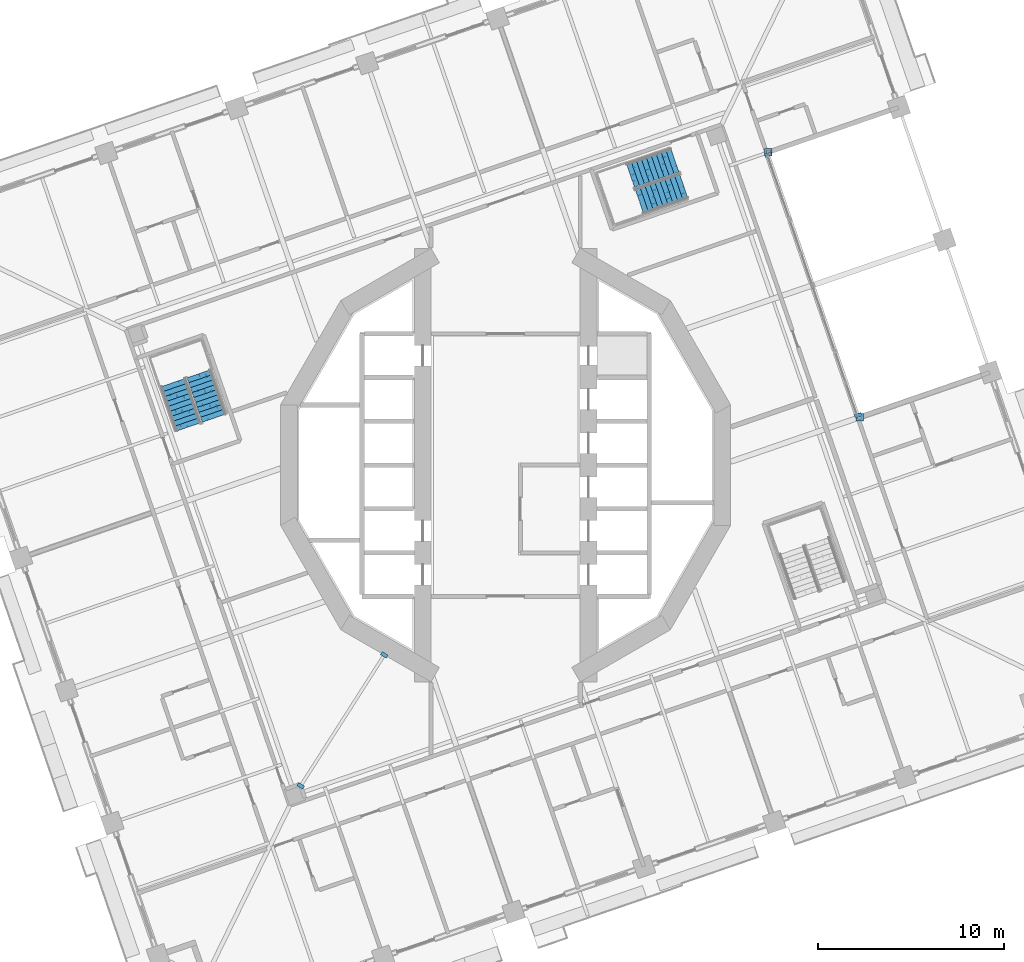
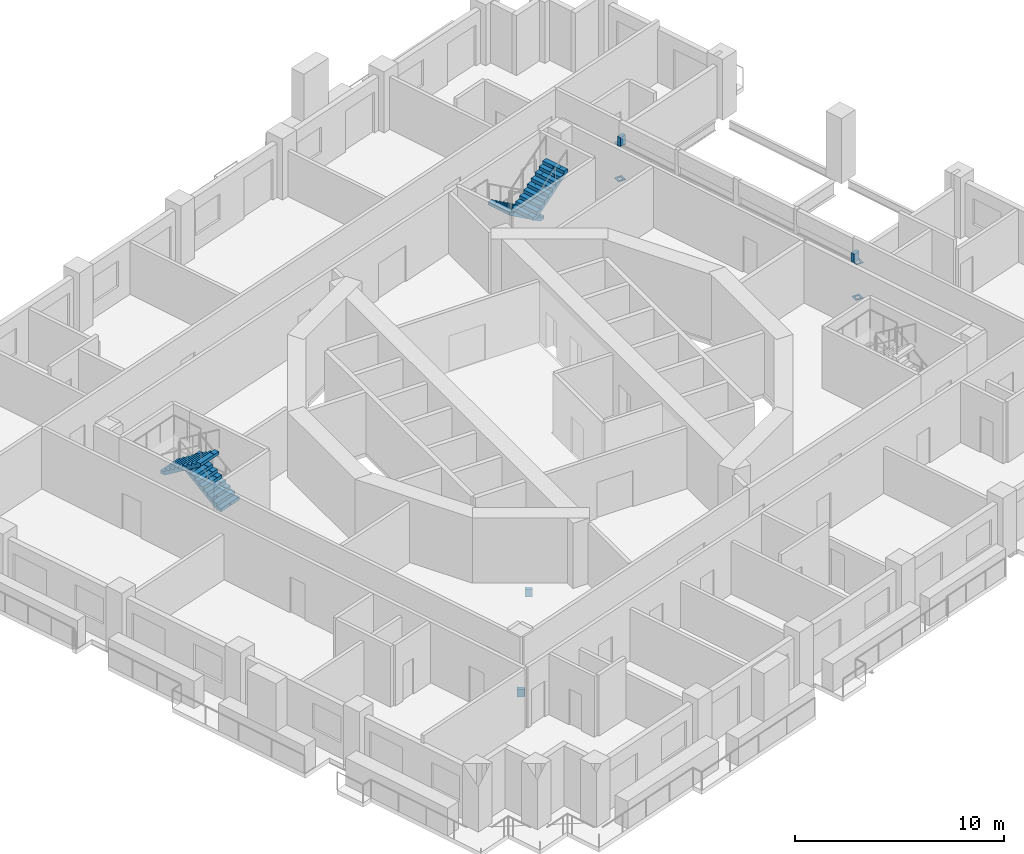
# One storey, part 13 of 19: 8 discrete accessories, 4 stair flights, 2 elements without a shape of their own.
"""IFC4 building model written with IfcOpenShell, lengths in metres."""

from ifc_helpers import new_model, si_unit, direction, frame, origin, place, context, subcontext, project, spatial, polyline, outline, extrude, material, layer, layer_set, type_object, element, aggregate, save


model = new_model("IFC4")

# Units and contexts
model_context = context("Model", 3, precision=1e-05, world=origin(), true_north=direction((0.0, 1.0)))
body_context = subcontext(model_context, "Body", "Model", "MODEL_VIEW")
ifc_project = project(units=[si_unit("LENGTHUNIT", "METRE"), si_unit("AREAUNIT", "SQUARE_METRE"), si_unit("VOLUMEUNIT", "CUBIC_METRE"), si_unit("PLANEANGLEUNIT", "RADIAN"), si_unit("MASSUNIT", "GRAM", prefix="KILO")], contexts=[model_context])

# Site, building, storey
site_placement = place(None, origin())
site = spatial("IfcSite", under=ifc_project, at=site_placement, CompositionType="ELEMENT")
building_placement = place(site_placement, origin())
building = spatial("IfcBuilding", under=site, at=building_placement, Name="Cantera Rosa Tower", CompositionType="ELEMENT")
storey_placement = place(building_placement, frame((0.0, 0.0, 130.699951171875)))
storey = spatial("IfcBuildingStorey", under=building, at=storey_placement, Name="L27", CompositionType="ELEMENT", Elevation=130.699951171875)

# Stair, stair flights
ifc_material_1 = material(Name="Concrete C35/45", Category="concrete")
stair_type = type_object("IfcStairType", Name="EXIT STAIR 1350 DOGLEG", PredefinedType="HALF_TURN_STAIR", material=ifc_material_1)
stair_1_placement = place(storey_placement, origin())
stair_1 = element("IfcStair", 1, at=stair_1_placement, inside=storey, type_object=stair_type, Name="L27 ST-21", PredefinedType="HALF_TURN_STAIR")
ifc_material_2 = material(Name="Concrete C35/45", Category="concrete")
stair_flight_type = type_object("IfcStairFlightType", Name="STAIR FLIGHT 1350 R20x190", PredefinedType="STRAIGHT", material=ifc_material_2)
stair_flight_1_placement = place(storey_placement, frame((9.07958984375, 16.364990234375, 0.0), z_axis=(0.0, 0.0, 1.0), x_axis=(-0.945518575599, -0.325568154457, 0.0)))
stair_flight_1 = element("IfcStairFlight", 2, at=stair_flight_1_placement, type_object=stair_flight_type, Name="ST-21 flight 1", NumberOfRisers=10, NumberOfTreads=9, PredefinedType="STRAIGHT", RiserHeight=0.19, TreadLength=0.28, context=body_context, shape_type="SweptSolid", body=[
    extrude(outline(polyline([(0.0, 0.0), (0.0, 0.18994140625), (0.280029296875, 0.18994140625), (0.280029296875, 0.3798828125), (0.56005859375, 0.3798828125), (0.56005859375, 0.570068359375), (0.840087890625, 0.570068359375), (0.840087890625, 0.760009765625), (1.1201171875, 0.760009765625), (1.1201171875, 0.949951171875), (1.39990234375, 0.949951171875), (1.39990234375, 1.139892578125), (1.679931640625, 1.139892578125), (1.679931640625, 1.330078125), (1.9599609375, 1.330078125), (1.9599609375, 1.52001953125), (2.239990234375, 1.52001953125), (2.239990234375, 1.7099609375), (2.52001953125, 1.7099609375), (2.52001953125, 1.89990234375), (2.52001953125, 1.52880859375), (0.266845703125, 0.0), (0.0, 0.0)])), frame((0.0, 0.675048828125, 0.0), z_axis=(0.0, -1.0, 0.0), x_axis=(1.0, 0.0, 0.0)), (0.0, 0.0, 1.0), 0.3359375),
    extrude(outline(polyline([(0.0, 0.0), (0.0, 0.18994140625), (0.280029296875, 0.18994140625), (0.280029296875, 0.3798828125), (0.56005859375, 0.3798828125), (0.56005859375, 0.570068359375), (0.840087890625, 0.570068359375), (0.840087890625, 0.760009765625), (1.1201171875, 0.760009765625), (1.1201171875, 0.949951171875), (1.39990234375, 0.949951171875), (1.39990234375, 1.139892578125), (1.679931640625, 1.139892578125), (1.679931640625, 1.330078125), (1.9599609375, 1.330078125), (1.9599609375, 1.52001953125), (2.239990234375, 1.52001953125), (2.239990234375, 1.7099609375), (2.52001953125, 1.7099609375), (2.52001953125, 1.89990234375), (2.52001953125, 1.52880859375), (0.266845703125, 0.0), (0.0, 0.0)])), frame((0.0, 0.337158203125, 0.0), z_axis=(0.0, -1.0, 0.0), x_axis=(1.0, 0.0, 0.0)), (0.0, 0.0, 1.0), 0.3359375),
    extrude(outline(polyline([(0.0, 0.0), (0.0, 0.18994140625), (0.280029296875, 0.18994140625), (0.280029296875, 0.3798828125), (0.56005859375, 0.3798828125), (0.56005859375, 0.570068359375), (0.840087890625, 0.570068359375), (0.840087890625, 0.760009765625), (1.1201171875, 0.760009765625), (1.1201171875, 0.949951171875), (1.39990234375, 0.949951171875), (1.39990234375, 1.139892578125), (1.679931640625, 1.139892578125), (1.679931640625, 1.330078125), (1.9599609375, 1.330078125), (1.9599609375, 1.52001953125), (2.239990234375, 1.52001953125), (2.239990234375, 1.7099609375), (2.52001953125, 1.7099609375), (2.52001953125, 1.89990234375), (2.52001953125, 1.52880859375), (0.266845703125, 0.0), (0.0, 0.0)])), frame((0.0, -0.000732421875, 0.0), z_axis=(0.0, -1.0, 0.0), x_axis=(1.0, 0.0, 0.0)), (0.0, 0.0, 1.0), 0.3359375),
    extrude(outline(polyline([(0.0, 0.0), (0.0, 0.18994140625), (0.280029296875, 0.18994140625), (0.280029296875, 0.3798828125), (0.56005859375, 0.3798828125), (0.56005859375, 0.570068359375), (0.840087890625, 0.570068359375), (0.840087890625, 0.760009765625), (1.1201171875, 0.760009765625), (1.1201171875, 0.949951171875), (1.39990234375, 0.949951171875), (1.39990234375, 1.139892578125), (1.679931640625, 1.139892578125), (1.679931640625, 1.330078125), (1.9599609375, 1.330078125), (1.9599609375, 1.52001953125), (2.239990234375, 1.52001953125), (2.239990234375, 1.7099609375), (2.52001953125, 1.7099609375), (2.52001953125, 1.89990234375), (2.52001953125, 1.52880859375), (0.266845703125, 0.0), (0.0, 0.0)])), frame((0.0, -0.338623046875, 0.0), z_axis=(0.0, -1.0, 0.0), x_axis=(1.0, 0.0, 0.0)), (0.0, 0.0, 1.0), 0.3359375),
])
stair_flight_2_placement = place(storey_placement, frame((7.185302734375, 14.126220703125, 1.900146484375), z_axis=(0.0, 0.0, 1.0), x_axis=(0.945518575599, 0.325568154457, 0.0)))
stair_flight_2 = element("IfcStairFlight", 3, at=stair_flight_2_placement, type_object=stair_flight_type, Name="ST-21 flight 2", NumberOfRisers=10, NumberOfTreads=9, PredefinedType="STRAIGHT", RiserHeight=0.19, TreadLength=0.28, context=body_context, shape_type="SweptSolid", body=[
    extrude(outline(polyline([(0.0, 0.0), (0.0, 0.18994140625), (0.280029296875, 0.18994140625), (0.280029296875, 0.3798828125), (0.56005859375, 0.3798828125), (0.56005859375, 0.570068359375), (0.840087890625, 0.570068359375), (0.840087890625, 0.760009765625), (1.1201171875, 0.760009765625), (1.1201171875, 0.949951171875), (1.39990234375, 0.949951171875), (1.39990234375, 1.139892578125), (1.679931640625, 1.139892578125), (1.679931640625, 1.330078125), (1.9599609375, 1.330078125), (1.9599609375, 1.52001953125), (2.239990234375, 1.52001953125), (2.239990234375, 1.7099609375), (2.52001953125, 1.7099609375), (2.52001953125, 1.89990234375), (2.52001953125, 1.52880859375), (0.266845703125, 0.0), (0.0, 0.0)])), frame((0.0, 0.675048828125, 0.0), z_axis=(0.0, -1.0, 0.0), x_axis=(1.0, 0.0, 0.0)), (0.0, 0.0, 1.0), 0.3359375),
    extrude(outline(polyline([(0.0, 0.0), (0.0, 0.18994140625), (0.280029296875, 0.18994140625), (0.280029296875, 0.3798828125), (0.56005859375, 0.3798828125), (0.56005859375, 0.570068359375), (0.840087890625, 0.570068359375), (0.840087890625, 0.760009765625), (1.1201171875, 0.760009765625), (1.1201171875, 0.949951171875), (1.39990234375, 0.949951171875), (1.39990234375, 1.139892578125), (1.679931640625, 1.139892578125), (1.679931640625, 1.330078125), (1.9599609375, 1.330078125), (1.9599609375, 1.52001953125), (2.239990234375, 1.52001953125), (2.239990234375, 1.7099609375), (2.52001953125, 1.7099609375), (2.52001953125, 1.89990234375), (2.52001953125, 1.52880859375), (0.266845703125, 0.0), (0.0, 0.0)])), frame((0.0, 0.337158203125, 0.0), z_axis=(0.0, -1.0, 0.0), x_axis=(1.0, 0.0, 0.0)), (0.0, 0.0, 1.0), 0.3359375),
    extrude(outline(polyline([(0.0, 0.0), (0.0, 0.18994140625), (0.280029296875, 0.18994140625), (0.280029296875, 0.3798828125), (0.56005859375, 0.3798828125), (0.56005859375, 0.570068359375), (0.840087890625, 0.570068359375), (0.840087890625, 0.760009765625), (1.1201171875, 0.760009765625), (1.1201171875, 0.949951171875), (1.39990234375, 0.949951171875), (1.39990234375, 1.139892578125), (1.679931640625, 1.139892578125), (1.679931640625, 1.330078125), (1.9599609375, 1.330078125), (1.9599609375, 1.52001953125), (2.239990234375, 1.52001953125), (2.239990234375, 1.7099609375), (2.52001953125, 1.7099609375), (2.52001953125, 1.89990234375), (2.52001953125, 1.52880859375), (0.266845703125, 0.0), (0.0, 0.0)])), frame((0.0, -0.000732421875, 0.0), z_axis=(0.0, -1.0, 0.0), x_axis=(1.0, 0.0, 0.0)), (0.0, 0.0, 1.0), 0.3359375),
    extrude(outline(polyline([(0.0, 0.0), (0.0, 0.18994140625), (0.280029296875, 0.18994140625), (0.280029296875, 0.3798828125), (0.56005859375, 0.3798828125), (0.56005859375, 0.570068359375), (0.840087890625, 0.570068359375), (0.840087890625, 0.760009765625), (1.1201171875, 0.760009765625), (1.1201171875, 0.949951171875), (1.39990234375, 0.949951171875), (1.39990234375, 1.139892578125), (1.679931640625, 1.139892578125), (1.679931640625, 1.330078125), (1.9599609375, 1.330078125), (1.9599609375, 1.52001953125), (2.239990234375, 1.52001953125), (2.239990234375, 1.7099609375), (2.52001953125, 1.7099609375), (2.52001953125, 1.89990234375), (2.52001953125, 1.52880859375), (0.266845703125, 0.0), (0.0, 0.0)])), frame((0.0, -0.338623046875, 0.0), z_axis=(0.0, -1.0, 0.0), x_axis=(1.0, 0.0, 0.0)), (0.0, 0.0, 1.0), 0.3359375),
])
aggregate(stair_1, [stair_flight_1, stair_flight_2])

stair_2_placement = place(storey_placement, origin())
stair_2 = element("IfcStair", 4, at=stair_2_placement, inside=storey, type_object=stair_type, Name="L27 ST-22", PredefinedType="HALF_TURN_STAIR")
stair_flight_3_placement = place(storey_placement, frame((-15.635009765625, 2.5205078125, 0.0), z_axis=(0.0, 0.0, 1.0), x_axis=(-0.325568154457, 0.945518575599, 0.0)))
stair_flight_3 = element("IfcStairFlight", 5, at=stair_flight_3_placement, type_object=stair_flight_type, Name="ST-22 flight 1", NumberOfRisers=10, NumberOfTreads=9, PredefinedType="STRAIGHT", RiserHeight=0.19, TreadLength=0.28, context=body_context, shape_type="SweptSolid", body=[
    extrude(outline(polyline([(0.0, 0.0), (0.0, 0.18994140625), (0.280029296875, 0.18994140625), (0.280029296875, 0.3798828125), (0.56005859375, 0.3798828125), (0.56005859375, 0.570068359375), (0.840087890625, 0.570068359375), (0.840087890625, 0.760009765625), (1.1201171875, 0.760009765625), (1.1201171875, 0.949951171875), (1.39990234375, 0.949951171875), (1.39990234375, 1.139892578125), (1.679931640625, 1.139892578125), (1.679931640625, 1.330078125), (1.9599609375, 1.330078125), (1.9599609375, 1.52001953125), (2.239990234375, 1.52001953125), (2.239990234375, 1.7099609375), (2.52001953125, 1.7099609375), (2.52001953125, 1.89990234375), (2.52001953125, 1.52880859375), (0.266845703125, 0.0), (0.0, 0.0)])), frame((0.0, 0.675048828125, 0.0), z_axis=(0.0, -1.0, 0.0), x_axis=(1.0, 0.0, 0.0)), (0.0, 0.0, 1.0), 0.3359375),
    extrude(outline(polyline([(0.0, 0.0), (0.0, 0.18994140625), (0.280029296875, 0.18994140625), (0.280029296875, 0.3798828125), (0.56005859375, 0.3798828125), (0.56005859375, 0.570068359375), (0.840087890625, 0.570068359375), (0.840087890625, 0.760009765625), (1.1201171875, 0.760009765625), (1.1201171875, 0.949951171875), (1.39990234375, 0.949951171875), (1.39990234375, 1.139892578125), (1.679931640625, 1.139892578125), (1.679931640625, 1.330078125), (1.9599609375, 1.330078125), (1.9599609375, 1.52001953125), (2.239990234375, 1.52001953125), (2.239990234375, 1.7099609375), (2.52001953125, 1.7099609375), (2.52001953125, 1.89990234375), (2.52001953125, 1.52880859375), (0.266845703125, 0.0), (0.0, 0.0)])), frame((0.0, 0.337158203125, 0.0), z_axis=(0.0, -1.0, 0.0), x_axis=(1.0, 0.0, 0.0)), (0.0, 0.0, 1.0), 0.3359375),
    extrude(outline(polyline([(0.0, 0.0), (0.0, 0.18994140625), (0.280029296875, 0.18994140625), (0.280029296875, 0.3798828125), (0.56005859375, 0.3798828125), (0.56005859375, 0.570068359375), (0.840087890625, 0.570068359375), (0.840087890625, 0.760009765625), (1.1201171875, 0.760009765625), (1.1201171875, 0.949951171875), (1.39990234375, 0.949951171875), (1.39990234375, 1.139892578125), (1.679931640625, 1.139892578125), (1.679931640625, 1.330078125), (1.9599609375, 1.330078125), (1.9599609375, 1.52001953125), (2.239990234375, 1.52001953125), (2.239990234375, 1.7099609375), (2.52001953125, 1.7099609375), (2.52001953125, 1.89990234375), (2.52001953125, 1.52880859375), (0.266845703125, 0.0), (0.0, 0.0)])), frame((0.0, -0.000732421875, 0.0), z_axis=(0.0, -1.0, 0.0), x_axis=(1.0, 0.0, 0.0)), (0.0, 0.0, 1.0), 0.3359375),
    extrude(outline(polyline([(0.0, 0.0), (0.0, 0.18994140625), (0.280029296875, 0.18994140625), (0.280029296875, 0.3798828125), (0.56005859375, 0.3798828125), (0.56005859375, 0.570068359375), (0.840087890625, 0.570068359375), (0.840087890625, 0.760009765625), (1.1201171875, 0.760009765625), (1.1201171875, 0.949951171875), (1.39990234375, 0.949951171875), (1.39990234375, 1.139892578125), (1.679931640625, 1.139892578125), (1.679931640625, 1.330078125), (1.9599609375, 1.330078125), (1.9599609375, 1.52001953125), (2.239990234375, 1.52001953125), (2.239990234375, 1.7099609375), (2.52001953125, 1.7099609375), (2.52001953125, 1.89990234375), (2.52001953125, 1.52880859375), (0.266845703125, 0.0), (0.0, 0.0)])), frame((0.0, -0.338623046875, 0.0), z_axis=(0.0, -1.0, 0.0), x_axis=(1.0, 0.0, 0.0)), (0.0, 0.0, 1.0), 0.3359375),
])
stair_flight_4_placement = place(storey_placement, frame((-17.873779296875, 4.414794921875, 1.900146484375), z_axis=(0.0, 0.0, 1.0), x_axis=(0.325568154457, -0.945518575599, 0.0)))
stair_flight_4 = element("IfcStairFlight", 6, at=stair_flight_4_placement, type_object=stair_flight_type, Name="ST-22 flight 2", NumberOfRisers=10, NumberOfTreads=9, PredefinedType="STRAIGHT", RiserHeight=0.19, TreadLength=0.28, context=body_context, shape_type="SweptSolid", body=[
    extrude(outline(polyline([(0.0, 0.0), (0.0, 0.18994140625), (0.280029296875, 0.18994140625), (0.280029296875, 0.3798828125), (0.56005859375, 0.3798828125), (0.56005859375, 0.570068359375), (0.840087890625, 0.570068359375), (0.840087890625, 0.760009765625), (1.1201171875, 0.760009765625), (1.1201171875, 0.949951171875), (1.39990234375, 0.949951171875), (1.39990234375, 1.139892578125), (1.679931640625, 1.139892578125), (1.679931640625, 1.330078125), (1.9599609375, 1.330078125), (1.9599609375, 1.52001953125), (2.239990234375, 1.52001953125), (2.239990234375, 1.7099609375), (2.52001953125, 1.7099609375), (2.52001953125, 1.89990234375), (2.52001953125, 1.52880859375), (0.266845703125, 0.0), (0.0, 0.0)])), frame((0.0, 0.675048828125, 0.0), z_axis=(0.0, -1.0, 0.0), x_axis=(1.0, 0.0, 0.0)), (0.0, 0.0, 1.0), 0.3359375),
    extrude(outline(polyline([(0.0, 0.0), (0.0, 0.18994140625), (0.280029296875, 0.18994140625), (0.280029296875, 0.3798828125), (0.56005859375, 0.3798828125), (0.56005859375, 0.570068359375), (0.840087890625, 0.570068359375), (0.840087890625, 0.760009765625), (1.1201171875, 0.760009765625), (1.1201171875, 0.949951171875), (1.39990234375, 0.949951171875), (1.39990234375, 1.139892578125), (1.679931640625, 1.139892578125), (1.679931640625, 1.330078125), (1.9599609375, 1.330078125), (1.9599609375, 1.52001953125), (2.239990234375, 1.52001953125), (2.239990234375, 1.7099609375), (2.52001953125, 1.7099609375), (2.52001953125, 1.89990234375), (2.52001953125, 1.52880859375), (0.266845703125, 0.0), (0.0, 0.0)])), frame((0.0, 0.337158203125, 0.0), z_axis=(0.0, -1.0, 0.0), x_axis=(1.0, 0.0, 0.0)), (0.0, 0.0, 1.0), 0.3359375),
    extrude(outline(polyline([(0.0, 0.0), (0.0, 0.18994140625), (0.280029296875, 0.18994140625), (0.280029296875, 0.3798828125), (0.56005859375, 0.3798828125), (0.56005859375, 0.570068359375), (0.840087890625, 0.570068359375), (0.840087890625, 0.760009765625), (1.1201171875, 0.760009765625), (1.1201171875, 0.949951171875), (1.39990234375, 0.949951171875), (1.39990234375, 1.139892578125), (1.679931640625, 1.139892578125), (1.679931640625, 1.330078125), (1.9599609375, 1.330078125), (1.9599609375, 1.52001953125), (2.239990234375, 1.52001953125), (2.239990234375, 1.7099609375), (2.52001953125, 1.7099609375), (2.52001953125, 1.89990234375), (2.52001953125, 1.52880859375), (0.266845703125, 0.0), (0.0, 0.0)])), frame((0.0, -0.000732421875, 0.0), z_axis=(0.0, -1.0, 0.0), x_axis=(1.0, 0.0, 0.0)), (0.0, 0.0, 1.0), 0.3359375),
    extrude(outline(polyline([(0.0, 0.0), (0.0, 0.18994140625), (0.280029296875, 0.18994140625), (0.280029296875, 0.3798828125), (0.56005859375, 0.3798828125), (0.56005859375, 0.570068359375), (0.840087890625, 0.570068359375), (0.840087890625, 0.760009765625), (1.1201171875, 0.760009765625), (1.1201171875, 0.949951171875), (1.39990234375, 0.949951171875), (1.39990234375, 1.139892578125), (1.679931640625, 1.139892578125), (1.679931640625, 1.330078125), (1.9599609375, 1.330078125), (1.9599609375, 1.52001953125), (2.239990234375, 1.52001953125), (2.239990234375, 1.7099609375), (2.52001953125, 1.7099609375), (2.52001953125, 1.89990234375), (2.52001953125, 1.52880859375), (0.266845703125, 0.0), (0.0, 0.0)])), frame((0.0, -0.338623046875, 0.0), z_axis=(0.0, -1.0, 0.0), x_axis=(1.0, 0.0, 0.0)), (0.0, 0.0, 1.0), 0.3359375),
])
aggregate(stair_2, [stair_flight_3, stair_flight_4])

# Discrete accessories
ifc_material_3 = material(Name="Steel ASTM A992 (Fy 345 MPa)", Category="steel")
ifc_layer = layer(ifc_material_3, 0.0400390625)
ifc_layer_set = layer_set([ifc_layer], Name="STEEL BEARING PLATE 40")
discrete_accessory_type = type_object("IfcDiscreteAccessoryType", Name="STEEL BEARING PLATE 40", PredefinedType="ANCHORPLATE", material=ifc_layer_set)
discrete_accessory_1_placement = place(storey_placement, frame((0.0, 0.0, -0.72802734375)))
element("IfcDiscreteAccessory", 7, at=discrete_accessory_1_placement, inside=storey, type_object=discrete_accessory_type, Name="BEARING PLATE PG-Z2-01 end 1 L27", PredefinedType="ANCHORPLATE", context=body_context, shape_type="SweptSolid", body=[
    extrude(outline(polyline([(-11.09619140625, -17.02783203125), (-11.203857421875, -17.1962890625), (-10.8955078125, -17.393310546875), (-10.787841796875, -17.224853515625), (-11.09619140625, -17.02783203125)])), origin(), (0.0, 0.0, 1.0), 0.427978515625),
])
discrete_accessory_2_placement = place(storey_placement, frame((0.0, 0.0, -0.72802734375)))
element("IfcDiscreteAccessory", 8, at=discrete_accessory_2_placement, inside=storey, type_object=discrete_accessory_type, Name="BEARING PLATE PG-Z2-01 end 2 L27", PredefinedType="ANCHORPLATE", context=body_context, shape_type="SweptSolid", body=[
    extrude(outline(polyline([(-6.40673828125, -10.367919921875), (-6.29931640625, -10.19921875), (-6.607666015625, -10.002197265625), (-6.71533203125, -10.170654296875), (-6.40673828125, -10.367919921875)])), origin(), (0.0, 0.0, 1.0), 0.427978515625),
])
discrete_accessory_3_placement = place(storey_placement, origin())
element("IfcDiscreteAccessory", 9, at=discrete_accessory_3_placement, inside=storey, type_object=discrete_accessory_type, Name="POST PLATE L27-1F", PredefinedType="ANCHORPLATE", context=body_context, shape_type="SweptSolid", body=[
    extrude(outline(polyline([(18.7998046875, 2.365478515625), (19.199951171875, 2.365478515625), (19.199951171875, 2.765380859375), (18.7998046875, 2.765380859375), (18.7998046875, 2.365478515625)]), holes=[polyline([(18.89990234375, 2.465576171875), (19.099853515625, 2.465576171875), (19.099853515625, 2.66552734375), (18.89990234375, 2.66552734375), (18.89990234375, 2.465576171875)])]), origin(), (0.0, 0.0, 1.0), 0.0400390625),
])
discrete_accessory_4_placement = place(storey_placement, frame((0.0, 0.0, 2.066162109375)))
element("IfcDiscreteAccessory", 10, at=discrete_accessory_4_placement, inside=storey, type_object=discrete_accessory_type, Name="POST PLATE L27-1T", PredefinedType="ANCHORPLATE", context=body_context, shape_type="SweptSolid", body=[
    extrude(outline(polyline([(18.7998046875, 2.365478515625), (19.199951171875, 2.365478515625), (19.199951171875, 2.765380859375), (18.7998046875, 2.765380859375), (18.7998046875, 2.365478515625)]), holes=[polyline([(18.89990234375, 2.465576171875), (19.099853515625, 2.465576171875), (19.099853515625, 2.66552734375), (18.89990234375, 2.66552734375), (18.89990234375, 2.465576171875)])]), origin(), (0.0, 0.0, 1.0), 0.039794921875),
])
discrete_accessory_5_placement = place(storey_placement, origin())
element("IfcDiscreteAccessory", 11, at=discrete_accessory_5_placement, inside=storey, type_object=discrete_accessory_type, Name="POST PLATE L27-2F", PredefinedType="ANCHORPLATE", context=body_context, shape_type="SweptSolid", body=[
    extrude(outline(polyline([(13.9033203125, 16.586181640625), (14.30322265625, 16.586181640625), (14.30322265625, 16.986083984375), (13.9033203125, 16.986083984375), (13.9033203125, 16.586181640625)]), holes=[polyline([(14.00341796875, 16.68603515625), (14.203369140625, 16.68603515625), (14.203369140625, 16.885986328125), (14.00341796875, 16.885986328125), (14.00341796875, 16.68603515625)])]), origin(), (0.0, 0.0, 1.0), 0.0400390625),
])
discrete_accessory_6_placement = place(storey_placement, frame((0.0, 0.0, 2.066162109375)))
element("IfcDiscreteAccessory", 12, at=discrete_accessory_6_placement, inside=storey, type_object=discrete_accessory_type, Name="POST PLATE L27-2T", PredefinedType="ANCHORPLATE", context=body_context, shape_type="SweptSolid", body=[
    extrude(outline(polyline([(13.9033203125, 16.586181640625), (14.30322265625, 16.586181640625), (14.30322265625, 16.986083984375), (13.9033203125, 16.986083984375), (13.9033203125, 16.586181640625)]), holes=[polyline([(14.00341796875, 16.68603515625), (14.203369140625, 16.68603515625), (14.203369140625, 16.885986328125), (14.00341796875, 16.885986328125), (14.00341796875, 16.68603515625)])]), origin(), (0.0, 0.0, 1.0), 0.039794921875),
])
discrete_accessory_7_placement = place(storey_placement, frame((0.0, 0.0, 2.10595703125)))
element("IfcDiscreteAccessory", 13, at=discrete_accessory_7_placement, inside=storey, type_object=discrete_accessory_type, Name="LINTEL PLATE L27-1", PredefinedType="ANCHORPLATE", context=body_context, shape_type="SweptSolid", body=[
    extrude(outline(polyline([(18.706298828125, 2.702392578125), (18.771484375, 2.51318359375), (19.117431640625, 2.632568359375), (19.052490234375, 2.821533203125), (18.706298828125, 2.702392578125)])), origin(), (0.0, 0.0, 1.0), 0.528076171875),
])
discrete_accessory_8_placement = place(storey_placement, frame((0.0, 0.0, 2.10595703125)))
element("IfcDiscreteAccessory", 14, at=discrete_accessory_8_placement, inside=storey, type_object=discrete_accessory_type, Name="LINTEL PLATE L27-2", PredefinedType="ANCHORPLATE", context=body_context, shape_type="SweptSolid", body=[
    extrude(outline(polyline([(14.30224609375, 16.61669921875), (14.2373046875, 16.805908203125), (13.89111328125, 16.6865234375), (13.956298828125, 16.49755859375), (14.30224609375, 16.61669921875)])), origin(), (0.0, 0.0, 1.0), 0.528076171875),
])

save(model, "model.ifc")
